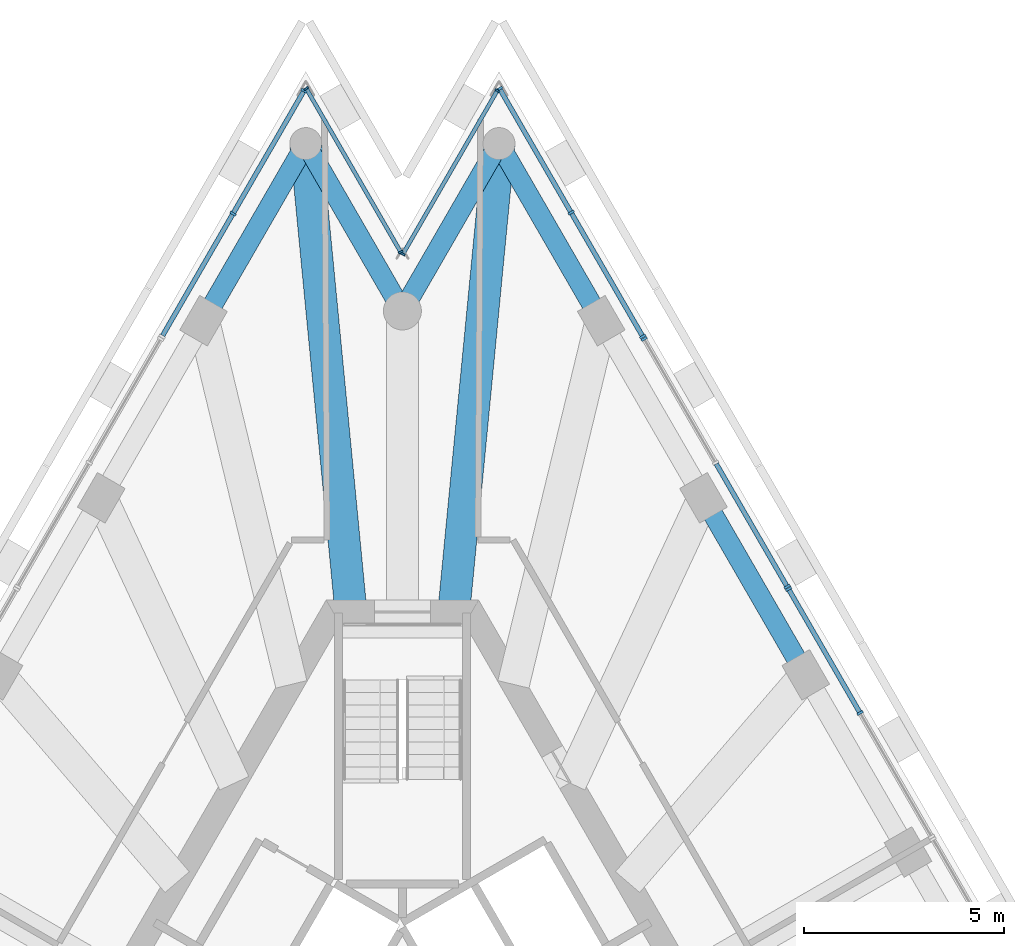
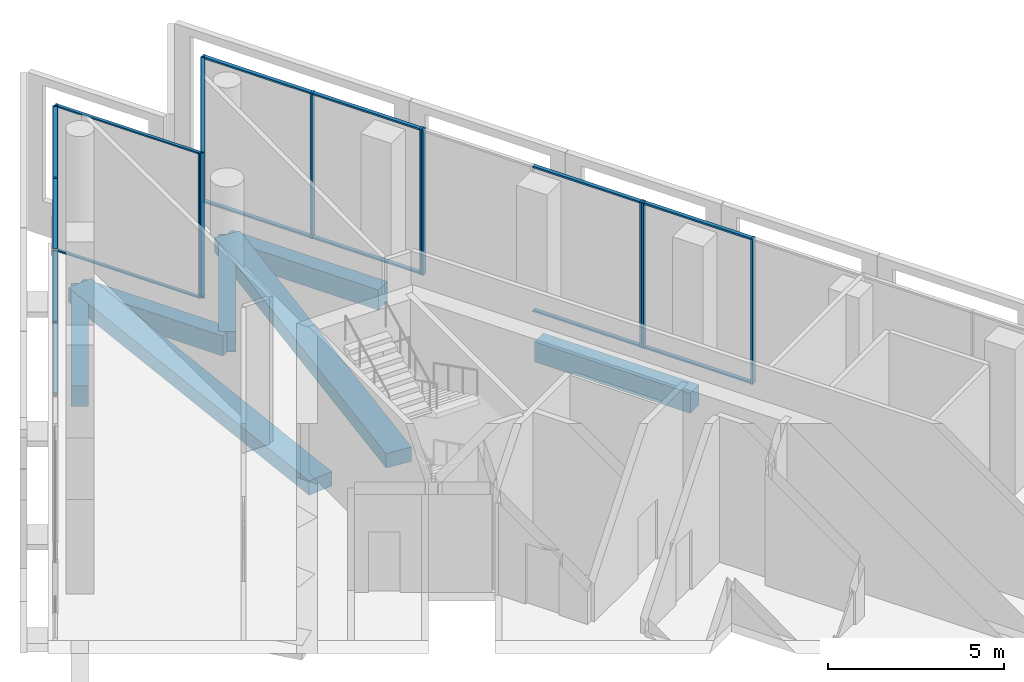
# One storey, part 9 of 17: 29 members, 7 beams, 6 elements without a shape of their own.
"""IFC4 building model written with IfcOpenShell, lengths in metres."""

from ifc_helpers import new_model, si_unit, direction, frame, origin, origin_2d, place, context, subcontext, project, spatial, rectangle, extrude, material, layer, layer_set, material_profile, profile_set, type_object, element, aggregate, save


model = new_model("IFC4")

# Units and contexts
model_context = context("Model", 3, precision=1e-05, world=origin(), true_north=direction((0.0, 1.0)))
body_context = subcontext(model_context, "Body", "Model", "MODEL_VIEW")
ifc_project = project(units=[si_unit("LENGTHUNIT", "METRE"), si_unit("AREAUNIT", "SQUARE_METRE"), si_unit("VOLUMEUNIT", "CUBIC_METRE"), si_unit("PLANEANGLEUNIT", "RADIAN"), si_unit("MASSUNIT", "GRAM", prefix="KILO")], contexts=[model_context])

# Site, building, storey
site_placement = place(None, origin())
site = spatial("IfcSite", under=ifc_project, at=site_placement, CompositionType="ELEMENT")
building_placement = place(site_placement, origin())
building = spatial("IfcBuilding", under=site, at=building_placement, Name="Triada Interchange Tower", CompositionType="ELEMENT")
storey_placement = place(building_placement, frame((0.0, 0.0, 322.300048828125)))
storey = spatial("IfcBuildingStorey", under=building, at=storey_placement, Name="L77", CompositionType="ELEMENT", Elevation=322.300048828125)

# Curtain wall, members
ifc_material_1 = material(Name="Aluminium framed glazing", Category="aluminium")
ifc_layer_1 = layer(ifc_material_1, 0.199951171875)
ifc_layer_set_1 = layer_set([ifc_layer_1], Name="Curtain wall Sky lobby glazing")
curtain_wall_type_1 = type_object("IfcCurtainWallType", Name="Curtain wall Sky lobby glazing", PredefinedType="NOTDEFINED", material=ifc_layer_set_1)
curtain_wall_1_placement = place(storey_placement, origin())
curtain_wall_1 = element("IfcCurtainWall", 1, at=curtain_wall_1_placement, inside=storey, type_object=curtain_wall_type_1, Name="Sky lobby glazing CW301 L77", PredefinedType="NOTDEFINED")
ifc_material_2 = material(Name="Aluminium", Category="aluminium")
ifc_material_profile_1 = material_profile(ifc_material_2, rectangle(XDim=0.159912109375, YDim=0.06005859375, at=origin_2d()), Name="Aluminium mullion")
ifc_profile_set_1 = profile_set([ifc_material_profile_1], Name="Aluminium")
member_type_1 = type_object("IfcMemberType", Name="Mullion Sky lobby glazing 160x60", PredefinedType="MULLION", material=ifc_profile_set_1)
member_1_placement = place(storey_placement, frame((-2.4609375, 26.3369140625, 0.0), z_axis=(0.0, 0.0, 1.0), x_axis=(0.866025060103, -0.500000595274, 0.0)))
member_1 = element("IfcMember", 2, at=member_1_placement, type_object=member_type_1, Name="CW301 mullion 1", PredefinedType="MULLION", context=body_context, shape_type="SweptSolid", body=[
    extrude(rectangle(XDim=0.159912109375, YDim=0.06005859375, at=origin_2d()), origin(), (0.0, 0.0, 1.0), 5.050048828125),
])
member_2_placement = place(storey_placement, frame((-4.235595703125, 23.263427734375, 0.0), z_axis=(0.0, 0.0, 1.0), x_axis=(0.866025060103, -0.500000595274, 0.0)))
member_2 = element("IfcMember", 3, at=member_2_placement, type_object=member_type_1, Name="CW301 mullion 2", PredefinedType="MULLION", context=body_context, shape_type="SweptSolid", body=[
    extrude(rectangle(XDim=0.159912109375, YDim=0.06005859375, at=origin_2d()), origin(), (0.0, 0.0, 1.0), 5.050048828125),
])

curtain_wall_2_placement = place(storey_placement, origin())
curtain_wall_2 = element("IfcCurtainWall", 4, at=curtain_wall_2_placement, inside=storey, type_object=curtain_wall_type_1, Name="Sky lobby glazing CW320 L77", PredefinedType="NOTDEFINED")
member_3_placement = place(storey_placement, frame((11.445068359375, 10.777587890625, 0.0), z_axis=(0.0, 0.0, 1.0), x_axis=(-0.866067851015, -0.499926472032, 0.0)))
member_3 = element("IfcMember", 5, at=member_3_placement, type_object=member_type_1, Name="CW320 mullion 2", PredefinedType="MULLION", context=body_context, shape_type="SweptSolid", body=[
    extrude(rectangle(XDim=0.159912109375, YDim=0.06005859375, at=origin_2d()), origin(), (0.0, 0.0, 1.0), 5.050048828125),
])
member_4_placement = place(storey_placement, frame((9.656982421875, 13.875, 0.0), z_axis=(0.0, 0.0, 1.0), x_axis=(-0.866067851015, -0.499926472032, 0.0)))
member_4 = element("IfcMember", 6, at=member_4_placement, type_object=member_type_1, Name="CW320 mullion 3", PredefinedType="MULLION", context=body_context, shape_type="SweptSolid", body=[
    extrude(rectangle(XDim=0.159912109375, YDim=0.06005859375, at=origin_2d()), origin(), (0.0, 0.0, 1.0), 5.050048828125),
])

curtain_wall_3_placement = place(storey_placement, origin())
curtain_wall_3 = element("IfcCurtainWall", 7, at=curtain_wall_3_placement, inside=storey, type_object=curtain_wall_type_1, Name="Sky lobby glazing CW321 L77", PredefinedType="NOTDEFINED")
member_5_placement = place(storey_placement, frame((9.6220703125, 13.93505859375, 0.0), z_axis=(0.0, 0.0, 1.0), x_axis=(-0.866007823062, -0.500030449467, 0.0)))
member_5 = element("IfcMember", 8, at=member_5_placement, type_object=member_type_1, Name="CW321 mullion 1", PredefinedType="MULLION", context=body_context, shape_type="SweptSolid", body=[
    extrude(rectangle(XDim=0.159912109375, YDim=0.06005859375, at=origin_2d()), origin(), (0.0, 0.0, 1.0), 5.050048828125),
])
member_6_placement = place(storey_placement, frame((6.044921875, 20.130126953125, 0.0), z_axis=(0.0, 0.0, 1.0), x_axis=(-0.866007823062, -0.500030449467, 0.0)))
member_6 = element("IfcMember", 9, at=member_6_placement, type_object=member_type_1, Name="CW321 mullion 3", PredefinedType="MULLION", context=body_context, shape_type="SweptSolid", body=[
    extrude(rectangle(XDim=0.159912109375, YDim=0.06005859375, at=origin_2d()), origin(), (0.0, 0.0, 1.0), 5.050048828125),
])

curtain_wall_4_placement = place(storey_placement, origin())
curtain_wall_4 = element("IfcCurtainWall", 10, at=curtain_wall_4_placement, inside=storey, type_object=curtain_wall_type_1, Name="Sky lobby glazing CW322 L77", PredefinedType="NOTDEFINED")
member_7_placement = place(storey_placement, frame((6.010009765625, 20.18994140625, 0.0), z_axis=(0.0, 0.0, 1.0), x_axis=(-0.866026395584, -0.49999828215, 0.0)))
member_7 = element("IfcMember", 11, at=member_7_placement, type_object=member_type_1, Name="CW322 mullion 1", PredefinedType="MULLION", context=body_context, shape_type="SweptSolid", body=[
    extrude(rectangle(XDim=0.159912109375, YDim=0.06005859375, at=origin_2d()), origin(), (0.0, 0.0, 1.0), 5.050048828125),
])
member_8_placement = place(storey_placement, frame((4.220458984375, 23.28955078125, 0.0), z_axis=(0.0, 0.0, 1.0), x_axis=(-0.866026395584, -0.49999828215, 0.0)))
member_8 = element("IfcMember", 12, at=member_8_placement, type_object=member_type_1, Name="CW322 mullion 2", PredefinedType="MULLION", context=body_context, shape_type="SweptSolid", body=[
    extrude(rectangle(XDim=0.159912109375, YDim=0.06005859375, at=origin_2d()), origin(), (0.0, 0.0, 1.0), 5.050048828125),
])
member_9_placement = place(storey_placement, frame((2.430908203125, 26.388916015625, 0.0), z_axis=(0.0, 0.0, 1.0), x_axis=(-0.866026395584, -0.49999828215, 0.0)))
member_9 = element("IfcMember", 13, at=member_9_placement, type_object=member_type_1, Name="CW322 mullion 3", PredefinedType="MULLION", context=body_context, shape_type="SweptSolid", body=[
    extrude(rectangle(XDim=0.159912109375, YDim=0.06005859375, at=origin_2d()), origin(), (0.0, 0.0, 1.0), 5.050048828125),
])

ifc_layer_2 = layer(ifc_material_1, 0.199951171875)
ifc_layer_set_2 = layer_set([ifc_layer_2], Name="Curtain wall Winter garden glazing")
curtain_wall_type_2 = type_object("IfcCurtainWallType", Name="Curtain wall Winter garden glazing", PredefinedType="NOTDEFINED", material=ifc_layer_set_2)
curtain_wall_5_placement = place(storey_placement, origin())
curtain_wall_5 = element("IfcCurtainWall", 14, at=curtain_wall_5_placement, inside=storey, type_object=curtain_wall_type_2, Name="Winter garden glazing CW323 L77", PredefinedType="NOTDEFINED")
ifc_material_profile_2 = material_profile(ifc_material_2, rectangle(XDim=0.1201171875, YDim=0.050048828125, at=origin_2d()), Name="Aluminium mullion")
ifc_profile_set_2 = profile_set([ifc_material_profile_2], Name="Aluminium")
member_type_2 = type_object("IfcMemberType", Name="Mullion Winter garden glazing 120x50", PredefinedType="MULLION", material=ifc_profile_set_2)
member_10_placement = place(storey_placement, frame((2.37353515625, 26.34130859375, 0.0), z_axis=(0.0, 0.0, 1.0), x_axis=(0.866042521562, -0.499970349967, 0.0)))
member_10 = element("IfcMember", 15, at=member_10_placement, type_object=member_type_2, Name="CW323 mullion 1", PredefinedType="MULLION", context=body_context, shape_type="SweptSolid", body=[
    extrude(rectangle(XDim=0.1201171875, YDim=0.050048828125, at=origin_2d()), origin(), (0.0, 0.0, 1.0), 5.050048828125),
])
member_11_placement = place(storey_placement, frame((0.012451171875, 22.251708984375, 0.0), z_axis=(0.0, 0.0, 1.0), x_axis=(0.866042521562, -0.499970349967, 0.0)))
member_11 = element("IfcMember", 16, at=member_11_placement, type_object=member_type_2, Name="CW323 mullion 2", PredefinedType="MULLION", context=body_context, shape_type="SweptSolid", body=[
    extrude(rectangle(XDim=0.1201171875, YDim=0.050048828125, at=origin_2d()), origin(), (0.0, 0.0, 1.0), 5.050048828125),
])

curtain_wall_6_placement = place(storey_placement, origin())
curtain_wall_6 = element("IfcCurtainWall", 17, at=curtain_wall_6_placement, inside=storey, type_object=curtain_wall_type_2, Name="Winter garden glazing CW324 L77", PredefinedType="NOTDEFINED")
member_12_placement = place(storey_placement, frame((-0.04248046875, 22.3037109375, 0.0), z_axis=(0.0, 0.0, 1.0), x_axis=(-0.866042521562, -0.499970349967, 0.0)))
member_12 = element("IfcMember", 18, at=member_12_placement, type_object=member_type_2, Name="CW324 mullion 1", PredefinedType="MULLION", context=body_context, shape_type="SweptSolid", body=[
    extrude(rectangle(XDim=0.1201171875, YDim=0.050048828125, at=origin_2d()), origin(), (0.0, 0.0, 1.0), 5.050048828125),
])
member_13_placement = place(storey_placement, frame((-2.403564453125, 26.393310546875, 0.0), z_axis=(0.0, 0.0, 1.0), x_axis=(-0.866042521562, -0.499970349967, 0.0)))
member_13 = element("IfcMember", 19, at=member_13_placement, type_object=member_type_2, Name="CW324 mullion 2", PredefinedType="MULLION", context=body_context, shape_type="SweptSolid", body=[
    extrude(rectangle(XDim=0.1201171875, YDim=0.050048828125, at=origin_2d()), origin(), (0.0, 0.0, 1.0), 5.050048828125),
])

# Beams
ifc_material_3 = material(Name="Concrete C50/60", Category="concrete")
ifc_material_profile_3 = material_profile(ifc_material_3, rectangle(XDim=0.800048828125, YDim=0.5, at=origin_2d()), Name="RC 800x500")
ifc_profile_set_3 = profile_set([ifc_material_profile_3], Name="Concrete C50/60")
beam_type_1 = type_object("IfcBeamType", Name="Radial band beam D RC 800x500", PredefinedType="BEAM", material=ifc_profile_set_3)
for number, where, z_axis, x_axis, name in (
    (20, (-2.416015625, 25.014892578125, -0.550048828125), (0.096106083122, -0.995371097022, 0.0), (0.995371097022, 0.096106083122, 0.0), "Radial band beam BD01 L77"),
    (21, (2.416015625, 25.014892578125, -0.550048828125), (-0.096106083122, -0.995371097022, 0.0), (0.995371097022, -0.096106083122, 0.0), "Radial band beam BD29 L77"),
):
    element("IfcBeam", number, at=place(storey_placement, frame(where, z_axis=z_axis, x_axis=x_axis)), inside=storey, type_object=beam_type_1, Name=name, PredefinedType="BEAM", context=body_context, shape_type="SweptSolid", body=[
        extrude(rectangle(XDim=0.800048828125, YDim=0.5, at=origin_2d()), origin(), (0.0, 0.0, 1.0), 11.769287109375),
    ])
ifc_material_profile_4 = material_profile(ifc_material_3, rectangle(XDim=0.5, YDim=0.699951171875, at=origin_2d()), Name="RC 500x700")
ifc_profile_set_4 = profile_set([ifc_material_profile_4], Name="Concrete C50/60")
beam_type_2 = type_object("IfcBeamType", Name="Spandrel beam D RC 500x700", PredefinedType="BEAM", material=ifc_profile_set_4)
beam_1_placement = place(storey_placement, frame((-2.416015625, 25.014892578125, -0.650146484375), z_axis=(-0.499974534403, -0.866040105854, 0.0), x_axis=(0.866040105854, -0.499974534403, 0.0)))
element("IfcBeam", 22, at=beam_1_placement, inside=storey, type_object=beam_type_2, Name="Spandrel beam ED01 L77", PredefinedType="BEAM", context=body_context, shape_type="SweptSolid", body=[
    extrude(rectangle(XDim=0.5, YDim=0.699951171875, at=origin_2d()), origin(), (0.0, 0.0, 1.0), 5.114013671875),
])
beam_2_placement = place(storey_placement, frame((10.0869140625, 11.72900390625, -0.650146484375), z_axis=(-0.500057230025, 0.865992359493, 0.0), x_axis=(-0.865992359493, -0.500057230025, 0.0)))
element("IfcBeam", 23, at=beam_2_placement, inside=storey, type_object=beam_type_2, Name="Spandrel beam ED26 L77", PredefinedType="BEAM", context=body_context, shape_type="SweptSolid", body=[
    extrude(rectangle(XDim=0.5, YDim=0.699951171875, at=origin_2d()), origin(), (0.0, 0.0, 1.0), 5.11328125),
])
beam_3_placement = place(storey_placement, frame((4.972900390625, 20.5859375, -0.650146484375), z_axis=(-0.499974534403, 0.866040105854, 0.0), x_axis=(-0.866040105854, -0.499974534403, 0.0)))
element("IfcBeam", 24, at=beam_3_placement, inside=storey, type_object=beam_type_2, Name="Spandrel beam ED28 L77", PredefinedType="BEAM", context=body_context, shape_type="SweptSolid", body=[
    extrude(rectangle(XDim=0.5, YDim=0.699951171875, at=origin_2d()), origin(), (0.0, 0.0, 1.0), 5.114013671875),
])
for number, where, z_axis, x_axis, name in (
    (25, (2.416015625, 25.014892578125, -0.650146484375), (-0.4999863219, -0.866033300695, 0.0), (0.866033300695, -0.4999863219, 0.0), "Spandrel beam ED29 L77"),
    (26, (0.0, 20.830078125, -0.650146484375), (-0.4999863219, 0.866033300695, 0.0), (-0.866033300695, -0.4999863219, 0.0), "Spandrel beam ED30 L77"),
):
    element("IfcBeam", number, at=place(storey_placement, frame(where, z_axis=z_axis, x_axis=x_axis)), inside=storey, type_object=beam_type_2, Name=name, PredefinedType="BEAM", context=body_context, shape_type="SweptSolid", body=[
        extrude(rectangle(XDim=0.5, YDim=0.699951171875, at=origin_2d()), origin(), (0.0, 0.0, 1.0), 4.832275390625),
    ])

# Member
ifc_material_profile_5 = material_profile(ifc_material_2, rectangle(XDim=0.1201171875, YDim=0.06005859375, at=origin_2d()), Name="Aluminium transom")
ifc_profile_set_5 = profile_set([ifc_material_profile_5], Name="Aluminium")
member_type_3 = type_object("IfcMemberType", Name="Transom Sky lobby glazing 120x60", PredefinedType="USERDEFINED", material=ifc_profile_set_5)
member_14_placement = place(storey_placement, frame((-2.47607421875, 26.31103515625, 0.030029296875), z_axis=(-0.499984940993, -0.866034097932, 0.0), x_axis=(0.866034097932, -0.499984940993, 0.0)))
member_14 = element("IfcMember", 27, at=member_14_placement, type_object=member_type_3, Name="CW301 transom 1.1", ObjectType="TRANSOM", PredefinedType="USERDEFINED", context=body_context, shape_type="SweptSolid", body=[
    extrude(rectangle(XDim=0.1201171875, YDim=0.06005859375, at=origin_2d()), origin(), (0.0, 0.0, 1.0), 3.48876953125),
])

member_15_placement = place(storey_placement, frame((-2.47607421875, 26.31103515625, 5.02001953125), z_axis=(-0.499984940993, -0.866034097932, 0.0), x_axis=(0.866034097932, -0.499984940993, 0.0)))
member_15 = element("IfcMember", 28, at=member_15_placement, type_object=member_type_3, Name="CW301 transom 1.2", ObjectType="TRANSOM", PredefinedType="USERDEFINED", context=body_context, shape_type="SweptSolid", body=[
    extrude(rectangle(XDim=0.1201171875, YDim=0.06005859375, at=origin_2d()), origin(), (0.0, 0.0, 1.0), 3.48876953125),
])

member_16_placement = place(storey_placement, frame((-4.25048828125, 23.237548828125, 0.030029296875), z_axis=(-0.500037421966, -0.866003797124, 0.0), x_axis=(0.866003797124, -0.500037421966, 0.0)))
member_16 = element("IfcMember", 29, at=member_16_placement, type_object=member_type_3, Name="CW301 transom 2.1", ObjectType="TRANSOM", PredefinedType="USERDEFINED", context=body_context, shape_type="SweptSolid", body=[
    extrude(rectangle(XDim=0.1201171875, YDim=0.06005859375, at=origin_2d()), origin(), (0.0, 0.0, 1.0), 3.489013671875),
])

member_17_placement = place(storey_placement, frame((-4.25048828125, 23.237548828125, 5.02001953125), z_axis=(-0.500037421966, -0.866003797124, 0.0), x_axis=(0.866003797124, -0.500037421966, 0.0)))
member_17 = element("IfcMember", 30, at=member_17_placement, type_object=member_type_3, Name="CW301 transom 2.2", ObjectType="TRANSOM", PredefinedType="USERDEFINED", context=body_context, shape_type="SweptSolid", body=[
    extrude(rectangle(XDim=0.1201171875, YDim=0.06005859375, at=origin_2d()), origin(), (0.0, 0.0, 1.0), 3.489013671875),
])

aggregate(curtain_wall_1, [member_1, member_2, member_14, member_15, member_16, member_17])

member_18_placement = place(storey_placement, frame((11.429931640625, 10.803466796875, 0.030029296875), z_axis=(-0.499924779873, 0.86606882779, 0.0), x_axis=(-0.86606882779, -0.499924779873, 0.0)))
member_18 = element("IfcMember", 31, at=member_18_placement, type_object=member_type_3, Name="CW320 transom 2.1", ObjectType="TRANSOM", PredefinedType="USERDEFINED", context=body_context, shape_type="SweptSolid", body=[
    extrude(rectangle(XDim=0.1201171875, YDim=0.06005859375, at=origin_2d()), origin(), (0.0, 0.0, 1.0), 3.5166015625),
])

member_19_placement = place(storey_placement, frame((11.429931640625, 10.803466796875, 5.02001953125), z_axis=(-0.499924779873, 0.86606882779, 0.0), x_axis=(-0.86606882779, -0.499924779873, 0.0)))
member_19 = element("IfcMember", 32, at=member_19_placement, type_object=member_type_3, Name="CW320 transom 2.2", ObjectType="TRANSOM", PredefinedType="USERDEFINED", context=body_context, shape_type="SweptSolid", body=[
    extrude(rectangle(XDim=0.1201171875, YDim=0.06005859375, at=origin_2d()), origin(), (0.0, 0.0, 1.0), 3.5166015625),
])

aggregate(curtain_wall_2, [member_3, member_4, member_18, member_19])

member_20_placement = place(storey_placement, frame((9.60693359375, 13.9609375, 0.030029296875), z_axis=(-0.500028916005, 0.866008708477, 0.0), x_axis=(-0.866008708477, -0.500028916005, 0.0)))
member_20 = element("IfcMember", 33, at=member_20_placement, type_object=member_type_3, Name="CW321 transom 1.1", ObjectType="TRANSOM", PredefinedType="USERDEFINED", context=body_context, shape_type="SweptSolid", body=[
    extrude(rectangle(XDim=0.1201171875, YDim=0.06005859375, at=origin_2d()), origin(), (0.0, 0.0, 1.0), 3.516845703125),
])

member_21_placement = place(storey_placement, frame((9.60693359375, 13.9609375, 5.02001953125), z_axis=(-0.500028916005, 0.866008708477, 0.0), x_axis=(-0.866008708477, -0.500028916005, 0.0)))
member_21 = element("IfcMember", 34, at=member_21_placement, type_object=member_type_3, Name="CW321 transom 1.2", ObjectType="TRANSOM", PredefinedType="USERDEFINED", context=body_context, shape_type="SweptSolid", body=[
    extrude(rectangle(XDim=0.1201171875, YDim=0.06005859375, at=origin_2d()), origin(), (0.0, 0.0, 1.0), 3.516845703125),
])

aggregate(curtain_wall_3, [member_5, member_6, member_20, member_21])

member_22_placement = place(storey_placement, frame((5.9951171875, 20.216064453125, 0.030029296875), z_axis=(-0.5000267429, 0.866009963213, 0.0), x_axis=(-0.866009963213, -0.5000267429, 0.0)))
member_22 = element("IfcMember", 35, at=member_22_placement, type_object=member_type_3, Name="CW322 transom 1.1", ObjectType="TRANSOM", PredefinedType="USERDEFINED", context=body_context, shape_type="SweptSolid", body=[
    extrude(rectangle(XDim=0.1201171875, YDim=0.06005859375, at=origin_2d()), origin(), (0.0, 0.0, 1.0), 3.518798828125),
])

member_23_placement = place(storey_placement, frame((5.9951171875, 20.216064453125, 5.02001953125), z_axis=(-0.5000267429, 0.866009963213, 0.0), x_axis=(-0.866009963213, -0.5000267429, 0.0)))
member_23 = element("IfcMember", 36, at=member_23_placement, type_object=member_type_3, Name="CW322 transom 1.2", ObjectType="TRANSOM", PredefinedType="USERDEFINED", context=body_context, shape_type="SweptSolid", body=[
    extrude(rectangle(XDim=0.1201171875, YDim=0.06005859375, at=origin_2d()), origin(), (0.0, 0.0, 1.0), 3.518798828125),
])

member_24_placement = place(storey_placement, frame((4.20556640625, 23.3154296875, 0.030029296875), z_axis=(-0.499996700606, 0.866027308682, 0.0), x_axis=(-0.866027308682, -0.499996700606, 0.0)))
member_24 = element("IfcMember", 37, at=member_24_placement, type_object=member_type_3, Name="CW322 transom 2.1", ObjectType="TRANSOM", PredefinedType="USERDEFINED", context=body_context, shape_type="SweptSolid", body=[
    extrude(rectangle(XDim=0.1201171875, YDim=0.06005859375, at=origin_2d()), origin(), (0.0, 0.0, 1.0), 3.51904296875),
])

member_25_placement = place(storey_placement, frame((4.20556640625, 23.3154296875, 5.02001953125), z_axis=(-0.499996700606, 0.866027308682, 0.0), x_axis=(-0.866027308682, -0.499996700606, 0.0)))
member_25 = element("IfcMember", 38, at=member_25_placement, type_object=member_type_3, Name="CW322 transom 2.2", ObjectType="TRANSOM", PredefinedType="USERDEFINED", context=body_context, shape_type="SweptSolid", body=[
    extrude(rectangle(XDim=0.1201171875, YDim=0.06005859375, at=origin_2d()), origin(), (0.0, 0.0, 1.0), 3.51904296875),
])

aggregate(curtain_wall_4, [member_7, member_8, member_9, member_22, member_23, member_24, member_25])

ifc_material_profile_6 = material_profile(ifc_material_2, rectangle(XDim=0.10009765625, YDim=0.050048828125, at=origin_2d()), Name="Aluminium transom")
ifc_profile_set_6 = profile_set([ifc_material_profile_6], Name="Aluminium")
member_type_4 = type_object("IfcMemberType", Name="Transom Winter garden glazing 100x50", PredefinedType="USERDEFINED", material=ifc_profile_set_6)
member_26_placement = place(storey_placement, frame((2.361083984375, 26.319580078125, 0.02490234375), z_axis=(-0.499999868264, -0.866025479842, 0.0), x_axis=(0.866025479842, -0.499999868264, 0.0)))
member_26 = element("IfcMember", 39, at=member_26_placement, type_object=member_type_4, Name="CW323 transom 1.1", ObjectType="TRANSOM", PredefinedType="USERDEFINED", context=body_context, shape_type="SweptSolid", body=[
    extrude(rectangle(XDim=0.10009765625, YDim=0.050048828125, at=origin_2d()), origin(), (0.0, 0.0, 1.0), 4.67236328125),
])

member_27_placement = place(storey_placement, frame((2.361083984375, 26.319580078125, 5.02490234375), z_axis=(-0.499999868264, -0.866025479842, 0.0), x_axis=(0.866025479842, -0.499999868264, 0.0)))
member_27 = element("IfcMember", 40, at=member_27_placement, type_object=member_type_4, Name="CW323 transom 1.2", ObjectType="TRANSOM", PredefinedType="USERDEFINED", context=body_context, shape_type="SweptSolid", body=[
    extrude(rectangle(XDim=0.10009765625, YDim=0.050048828125, at=origin_2d()), origin(), (0.0, 0.0, 1.0), 4.67236328125),
])

aggregate(curtain_wall_5, [member_10, member_11, member_26, member_27])

member_28_placement = place(storey_placement, frame((-0.054931640625, 22.3251953125, 0.02490234375), z_axis=(-0.499999868264, 0.866025479842, 0.0), x_axis=(-0.866025479842, -0.499999868264, 0.0)))
member_28 = element("IfcMember", 41, at=member_28_placement, type_object=member_type_4, Name="CW324 transom 1.1", ObjectType="TRANSOM", PredefinedType="USERDEFINED", context=body_context, shape_type="SweptSolid", body=[
    extrude(rectangle(XDim=0.10009765625, YDim=0.050048828125, at=origin_2d()), origin(), (0.0, 0.0, 1.0), 4.67236328125),
])

member_29_placement = place(storey_placement, frame((-0.054931640625, 22.3251953125, 5.02490234375), z_axis=(-0.499999868264, 0.866025479842, 0.0), x_axis=(-0.866025479842, -0.499999868264, 0.0)))
member_29 = element("IfcMember", 42, at=member_29_placement, type_object=member_type_4, Name="CW324 transom 1.2", ObjectType="TRANSOM", PredefinedType="USERDEFINED", context=body_context, shape_type="SweptSolid", body=[
    extrude(rectangle(XDim=0.10009765625, YDim=0.050048828125, at=origin_2d()), origin(), (0.0, 0.0, 1.0), 4.67236328125),
])

aggregate(curtain_wall_6, [member_12, member_13, member_28, member_29])

save(model, "model.ifc")
